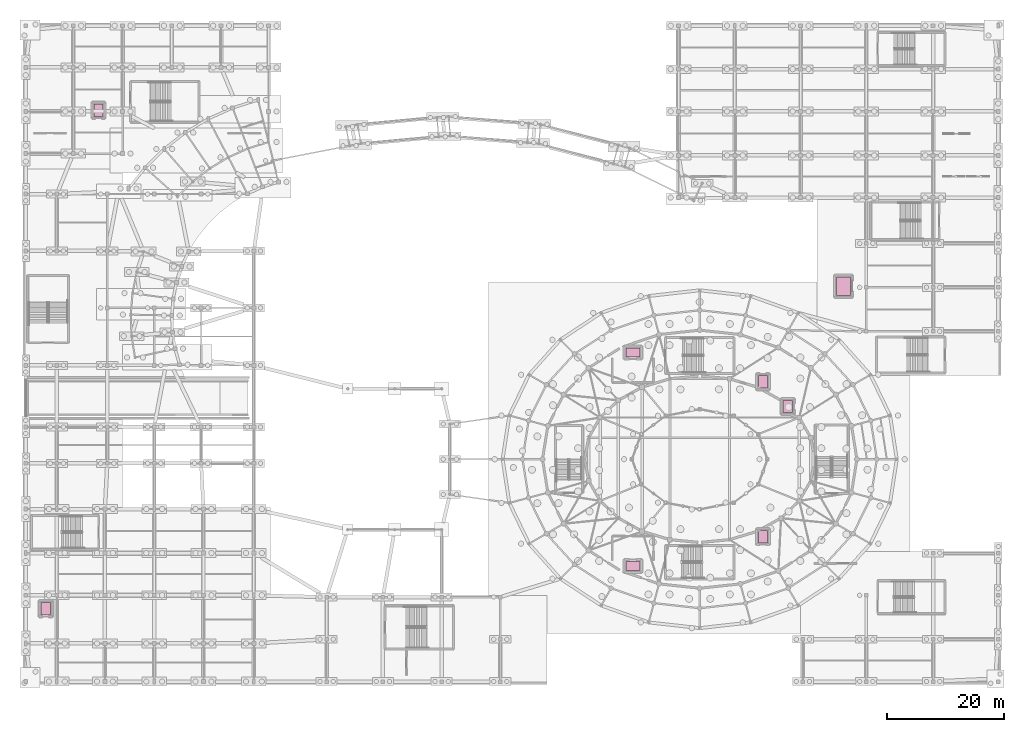
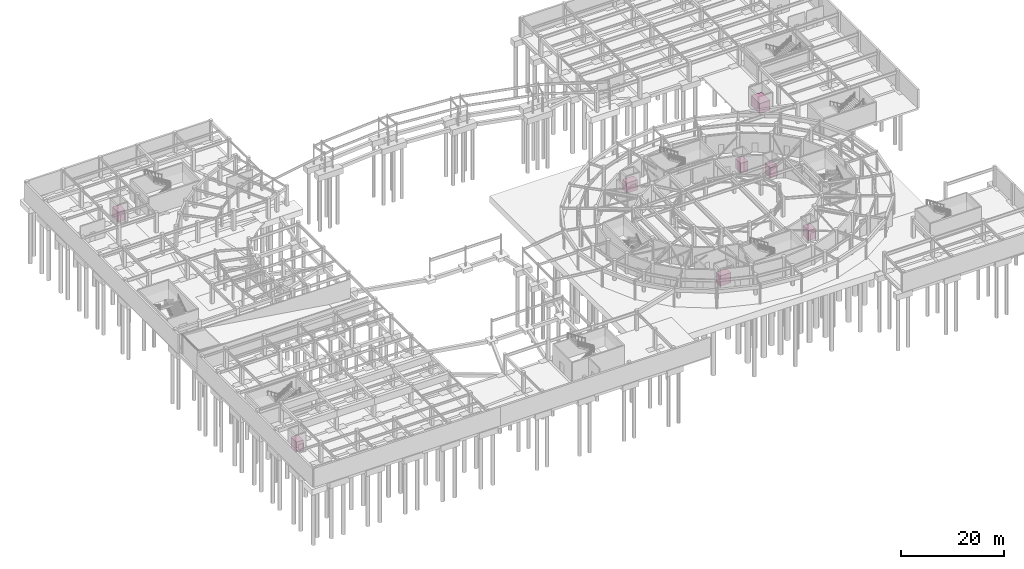
# One storey, part 68 of 68: 8 transport elements.
"""IFC4 building model written with IfcOpenShell, lengths in metres."""

from ifc_helpers import new_model, si_unit, direction, frame, origin, origin_2d, place, context, subcontext, project, spatial, rectangle, extrude, material, type_object, element, save


model = new_model("IFC4")

# Units and contexts
model_context = context("Model", 3, precision=1e-05, world=origin(), true_north=direction((0.0, 1.0)))
body_context = subcontext(model_context, "Body", "Model", "MODEL_VIEW")
ifc_project = project(units=[si_unit("LENGTHUNIT", "METRE"), si_unit("AREAUNIT", "SQUARE_METRE"), si_unit("VOLUMEUNIT", "CUBIC_METRE"), si_unit("PLANEANGLEUNIT", "RADIAN"), si_unit("MASSUNIT", "GRAM", prefix="KILO")], contexts=[model_context])

# Site, building, storey
site_placement = place(None, origin())
site = spatial("IfcSite", under=ifc_project, at=site_placement, CompositionType="ELEMENT")
building_placement = place(site_placement, origin())
building = spatial("IfcBuilding", under=site, at=building_placement, Name="Cinderbank Siding Concert Hall", CompositionType="ELEMENT")
storey_placement = place(building_placement, frame((0.0, 0.0, -4.800048828125)))
storey = spatial("IfcBuildingStorey", under=building, at=storey_placement, Name="B1", CompositionType="ELEMENT", Elevation=-4.800048828125)

# Transport elements
ifc_material = material(Name="Anodised aluminium alloy 6063-T6", Category="aluminium")
transport_element_type_1 = type_object("IfcTransportElementType", Name="LF-01 Elevator 1600x2100 1600kg", PredefinedType="ELEVATOR", material=ifc_material)
transport_element_1_placement = place(storey_placement, frame((132.800048828125, 57.199951171875, 0.150146484375), z_axis=(0.0, 0.0, 1.0), x_axis=(1.0, 0.0, 0.0)))
element("IfcTransportElement", 1, at=transport_element_1_placement, inside=storey, type_object=transport_element_type_1, Name="Main Foyer Passenger Lift LF-01", PredefinedType="ELEVATOR", context=body_context, shape_type="SweptSolid", body=[
    extrude(rectangle(XDim=1.60009765625, YDim=2.10009765625, at=origin_2d()), origin(), (0.0, 0.0, 1.0), 2.39990234375),
])
transport_element_type_2 = type_object("IfcTransportElementType", Name="LF-02 Elevator 1600x2100 1600kg", PredefinedType="ELEVATOR", material=ifc_material)
transport_element_2_placement = place(storey_placement, frame((132.800048828125, 30.800048828125, 0.150146484375), z_axis=(0.0, 0.0, 1.0), x_axis=(1.0, 0.0, 0.0)))
element("IfcTransportElement", 2, at=transport_element_2_placement, inside=storey, type_object=transport_element_type_2, Name="Main Foyer Passenger Lift LF-02", PredefinedType="ELEVATOR", context=body_context, shape_type="SweptSolid", body=[
    extrude(rectangle(XDim=1.60009765625, YDim=2.10009765625, at=origin_2d()), origin(), (0.0, 0.0, 1.0), 2.39990234375),
])
transport_element_type_3 = type_object("IfcTransportElementType", Name="LF-03 Elevator 1600x2100 1600kg", PredefinedType="ELEVATOR", material=ifc_material)
transport_element_3_placement = place(storey_placement, frame((137.0, 53.0, 0.150146484375), z_axis=(0.0, 0.0, 1.0), x_axis=(1.0, 0.0, 0.0)))
element("IfcTransportElement", 3, at=transport_element_3_placement, inside=storey, type_object=transport_element_type_3, Name="East Foyer Passenger Lift LF-03", PredefinedType="ELEVATOR", context=body_context, shape_type="SweptSolid", body=[
    extrude(rectangle(XDim=1.60009765625, YDim=2.10009765625, at=origin_2d()), origin(), (0.0, 0.0, 1.0), 2.39990234375),
])
transport_element_type_4 = type_object("IfcTransportElementType", Name="LF-04 Elevator 2400x1600 2000kg", PredefinedType="ELEVATOR", material=ifc_material)
transport_element_4_placement = place(storey_placement, frame((110.60009765625, 62.199951171875, 0.150146484375), z_axis=(0.0, 0.0, 1.0), x_axis=(1.0, 0.0, 0.0)))
element("IfcTransportElement", 4, at=transport_element_4_placement, inside=storey, type_object=transport_element_type_4, Name="Emergency Stretcher Lift LF-04", PredefinedType="ELEVATOR", context=body_context, shape_type="SweptSolid", body=[
    extrude(rectangle(XDim=2.39990234375, YDim=1.60009765625, at=origin_2d()), origin(), (0.0, 0.0, 1.0), 2.39990234375),
])
transport_element_type_5 = type_object("IfcTransportElementType", Name="LF-05 Elevator 2400x1600 2000kg", PredefinedType="ELEVATOR", material=ifc_material)
transport_element_5_placement = place(storey_placement, frame((110.60009765625, 25.800048828125, 0.150146484375), z_axis=(0.0, 0.0, 1.0), x_axis=(1.0, 0.0, 0.0)))
element("IfcTransportElement", 5, at=transport_element_5_placement, inside=storey, type_object=transport_element_type_5, Name="Emergency Stretcher Lift LF-05", PredefinedType="ELEVATOR", context=body_context, shape_type="SweptSolid", body=[
    extrude(rectangle(XDim=2.39990234375, YDim=1.60009765625, at=origin_2d()), origin(), (0.0, 0.0, 1.0), 2.39990234375),
])
transport_element_type_6 = type_object("IfcTransportElementType", Name="LF-06 Elevator 1600x2100 1600kg", PredefinedType="ELEVATOR", material=ifc_material)
transport_element_6_placement = place(storey_placement, frame((19.5, 103.5, 0.150146484375), z_axis=(0.0, 0.0, 1.0), x_axis=(1.0, 0.0, 0.0)))
element("IfcTransportElement", 6, at=transport_element_6_placement, inside=storey, type_object=transport_element_type_6, Name="Rehearsal Wing Passenger Lift LF-06", PredefinedType="ELEVATOR", context=body_context, shape_type="SweptSolid", body=[
    extrude(rectangle(XDim=1.60009765625, YDim=2.10009765625, at=origin_2d()), origin(), (0.0, 0.0, 1.0), 2.39990234375),
])
transport_element_type_7 = type_object("IfcTransportElementType", Name="LF-07 Elevator 1600x2100 1600kg", PredefinedType="ELEVATOR", material=ifc_material)
transport_element_7_placement = place(storey_placement, frame((10.5, 18.5, 0.150146484375), z_axis=(0.0, 0.0, 1.0), x_axis=(1.0, 0.0, 0.0)))
element("IfcTransportElement", 7, at=transport_element_7_placement, inside=storey, type_object=transport_element_type_7, Name="Chamber Pavilion Passenger Lift LF-07", PredefinedType="ELEVATOR", context=body_context, shape_type="SweptSolid", body=[
    extrude(rectangle(XDim=1.60009765625, YDim=2.10009765625, at=origin_2d()), origin(), (0.0, 0.0, 1.0), 2.39990234375),
])
transport_element_type_8 = type_object("IfcTransportElementType", Name="LF-08 Elevator 2400x3200 4500kg", PredefinedType="ELEVATOR", material=ifc_material)
transport_element_8_placement = place(storey_placement, frame((146.5, 73.5, 0.150146484375), z_axis=(0.0, 0.0, 1.0), x_axis=(1.0, 0.0, 0.0)))
element("IfcTransportElement", 8, at=transport_element_8_placement, inside=storey, type_object=transport_element_type_8, Name="Stage Piano Freight Lift LF-08", PredefinedType="ELEVATOR", context=body_context, shape_type="SweptSolid", body=[
    extrude(rectangle(XDim=2.39990234375, YDim=3.199951171875, at=origin_2d()), origin(), (0.0, 0.0, 1.0), 2.39990234375),
])

save(model, "model.ifc")
